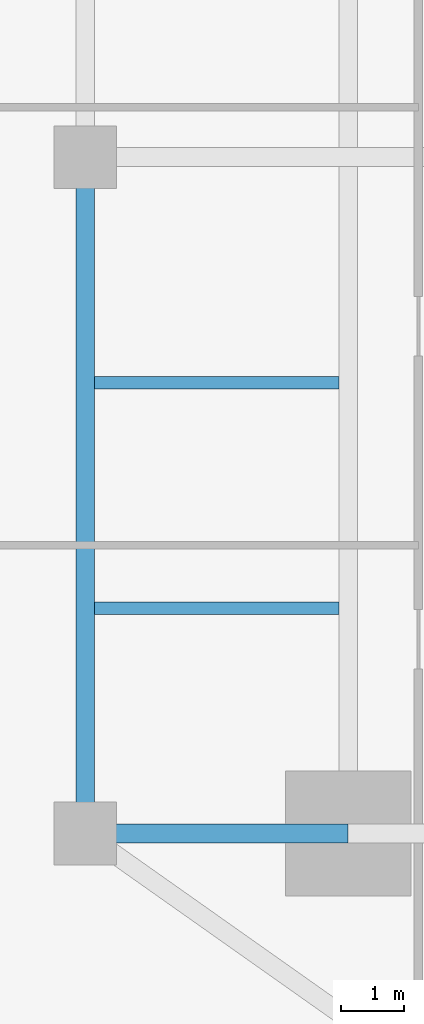
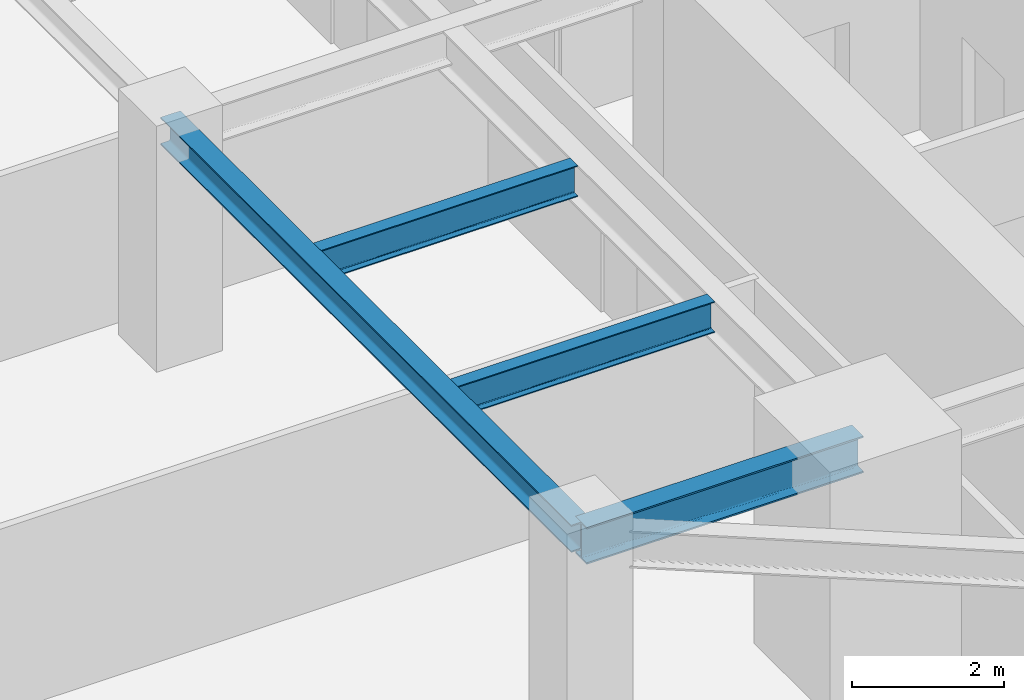
# One storey, part 7 of 26: 4 beams.
"""IFC4 building model written with IfcOpenShell, lengths in metres."""

from ifc_helpers import new_model, si_unit, direction, frame, origin, origin_2d, place, context, subcontext, project, spatial, i_section, extrude, source, transform, mapped, material, material_profile, profile_set, type_object, type_shapes, element, save


model = new_model("IFC4")

# Units and contexts
model_context = context("Model", 3, precision=1e-05, world=origin(), true_north=direction((0.0, 1.0)))
body_context = subcontext(model_context, "Body", "Model", "MODEL_VIEW")
ifc_project = project(units=[si_unit("LENGTHUNIT", "METRE"), si_unit("AREAUNIT", "SQUARE_METRE"), si_unit("VOLUMEUNIT", "CUBIC_METRE"), si_unit("PLANEANGLEUNIT", "RADIAN"), si_unit("MASSUNIT", "GRAM", prefix="KILO")], contexts=[model_context])

# Site, building, storey
site_placement = place(None, origin())
site = spatial("IfcSite", under=ifc_project, at=site_placement, CompositionType="ELEMENT")
building_placement = place(site_placement, origin())
building = spatial("IfcBuilding", under=site, at=building_placement, Name="Krantzveldt Concourse Tower", CompositionType="ELEMENT")
storey_placement = place(building_placement, frame((0.0, 0.0, 94.0)))
storey = spatial("IfcBuildingStorey", under=building, at=storey_placement, Name="L22", CompositionType="ELEMENT", Elevation=94.0)

# Beams
ifc_material = material(Name="Steel S355JR", Category="steel")
ifc_material_profile_1 = material_profile(ifc_material, i_section(OverallWidth=0.300048828125, OverallDepth=0.43994140625, WebThickness=0.011474609375, FlangeThickness=0.02099609375, FilletRadius=0.027099609375, at=origin_2d()), Name="Steel S355JR", Category="steel")
ifc_profile_set_1 = profile_set([ifc_material_profile_1], Name="Steel S355JR - HEA 450")
beam_type_1 = type_object("IfcBeamType", Name="BM-SP-HEA450", PredefinedType="SPANDREL", material=ifc_profile_set_1)
shared_shape_1 = source(origin(), body_context, "Body", "SweptSolid", [
    extrude(i_section(OverallWidth=0.300048828125, OverallDepth=0.43994140625, WebThickness=0.011474609375, FlangeThickness=0.02099609375, FilletRadius=0.027099609375, at=origin_2d()), origin(), (0.0, 0.0, 1.0), 10.800048828125),
])
type_shapes(beam_type_1, [shared_shape_1])
beam_1_placement = place(storey_placement, frame((21.0, 15.89990234375, 3.449951171875), z_axis=(0.0, 1.0, 0.0), x_axis=(-1.0, 0.0, 0.0)))
element("IfcBeam", 1, at=beam_1_placement, inside=storey, type_object=beam_type_1, Name="L22 Tower Girder SP-R01", PredefinedType="SPANDREL", context=body_context, shape_type="MappedRepresentation", body=[
    mapped(shared_shape_1, transform((0.0, 0.0, 0.0), x_axis=(1.0, 0.0, 0.0), y_axis=(0.0, 1.0, 0.0), z_axis=(0.0, 0.0, 1.0), scale=1.0)),
])
ifc_material_profile_2 = material_profile(ifc_material, i_section(OverallWidth=0.300048828125, OverallDepth=0.590087890625, WebThickness=0.012939453125, FlangeThickness=0.02490234375, FilletRadius=0.027099609375, at=origin_2d()), Name="Steel S355JR", Category="steel")
ifc_profile_set_2 = profile_set([ifc_material_profile_2], Name="Steel S355JR - HEA 600")
beam_type_2 = type_object("IfcBeamType", Name="BM-B-HEA600", PredefinedType="BEAM", material=ifc_profile_set_2)
shared_shape_2 = source(origin(), body_context, "Body", "SweptSolid", [
    extrude(i_section(OverallWidth=0.300048828125, OverallDepth=0.590087890625, WebThickness=0.012939453125, FlangeThickness=0.02490234375, FilletRadius=0.027099609375, at=origin_2d()), origin(), (0.0, 0.0, 1.0), 4.199951171875),
])
type_shapes(beam_type_2, [shared_shape_2])
beam_2_placement = place(storey_placement, frame((21.0, 15.89990234375, 3.375), z_axis=(1.0, 0.0, 0.0), x_axis=(0.0, 1.0, 0.0)))
element("IfcBeam", 2, at=beam_2_placement, inside=storey, type_object=beam_type_2, Name="L22 Tower Girder BR-RL1", PredefinedType="BEAM", context=body_context, shape_type="MappedRepresentation", body=[
    mapped(shared_shape_2, transform((0.0, 0.0, 0.0), x_axis=(1.0, 0.0, 0.0), y_axis=(0.0, 1.0, 0.0), z_axis=(0.0, 0.0, 1.0), scale=1.0)),
])
ifc_material_profile_3 = material_profile(ifc_material, i_section(OverallWidth=0.199951171875, OverallDepth=0.5, WebThickness=0.01025390625, FlangeThickness=0.01611328125, FilletRadius=0.02099609375, at=origin_2d()), Name="Steel S355JR", Category="steel")
ifc_profile_set_3 = profile_set([ifc_material_profile_3], Name="Steel S355JR - IPE 500")
beam_type_3 = type_object("IfcBeamType", Name="BM-J-IPE500", PredefinedType="JOIST", material=ifc_profile_set_3)
shared_shape_3 = source(origin(), body_context, "Body", "SweptSolid", [
    extrude(i_section(OverallWidth=0.199951171875, OverallDepth=0.5, WebThickness=0.01025390625, FlangeThickness=0.01611328125, FilletRadius=0.02099609375, at=origin_2d()), origin(), (0.0, 0.0, 1.0), 3.900146484375),
])
type_shapes(beam_type_3, [shared_shape_3])
for number, where, z_axis, x_axis, name in (
    (3, (21.14990234375, 19.5, 3.419921875), (1.0, 0.0, 0.0), (0.0, 1.0, 0.0), "L22 Secondary Floor Joist JW-1"),
    (4, (21.14990234375, 23.10009765625, 3.419921875), (1.0, 0.0, 0.0), (0.0, 1.0, 0.0), "L22 Secondary Floor Joist JW-2"),
):
    element("IfcBeam", number, at=place(storey_placement, frame(where, z_axis=z_axis, x_axis=x_axis)), inside=storey, type_object=beam_type_3, Name=name, PredefinedType="JOIST", context=body_context, shape_type="MappedRepresentation", body=[
        mapped(shared_shape_3, transform((0.0, 0.0, 0.0), x_axis=(1.0, 0.0, 0.0), y_axis=(0.0, 1.0, 0.0), z_axis=(0.0, 0.0, 1.0), scale=1.0)),
    ])

save(model, "model.ifc")
